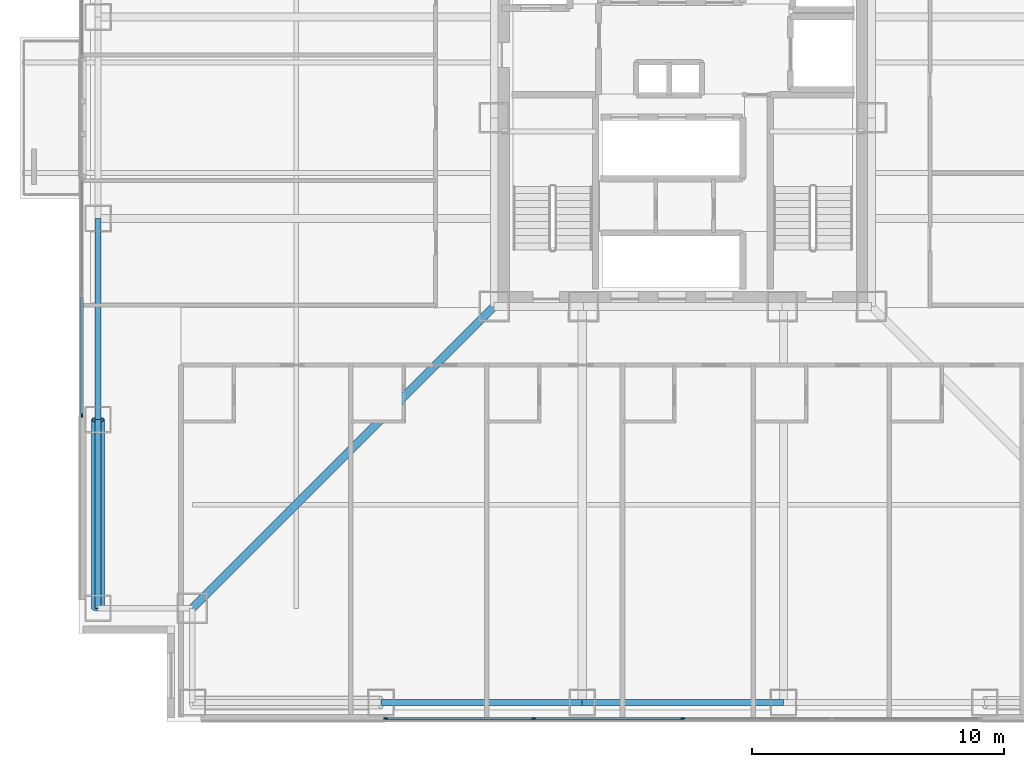
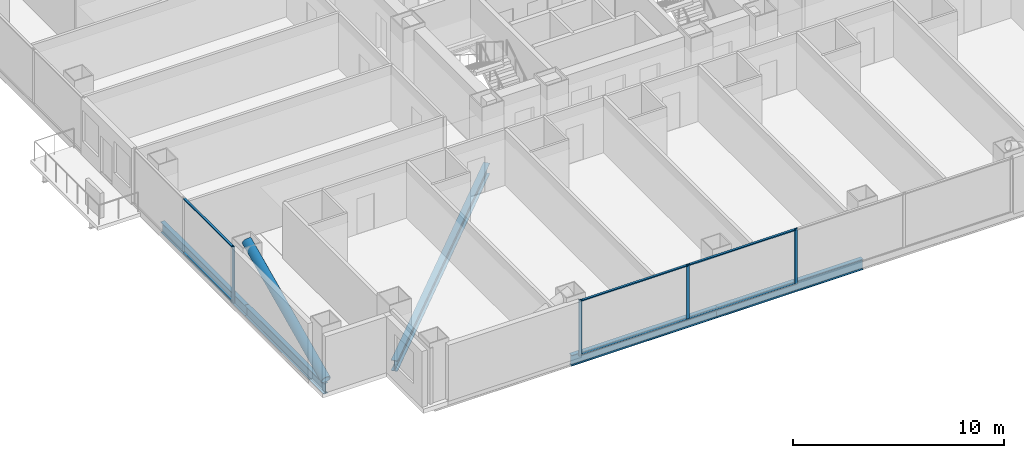
# One storey, part 2 of 20: 11 members, 5 beams, 2 elements without a shape of their own.
"""IFC4 building model written with IfcOpenShell, lengths in metres."""

from ifc_helpers import new_model, si_unit, direction, frame, origin, origin_2d, place, context, subcontext, project, spatial, rectangle, hollow_circle, i_section, extrude, material, layer, layer_set, material_profile, profile_set, type_object, element, aggregate, save


model = new_model("IFC4")

# Units and contexts
model_context = context("Model", 3, precision=1e-05, world=origin(), true_north=direction((0.0, 1.0)))
body_context = subcontext(model_context, "Body", "Model", "MODEL_VIEW")
ifc_project = project(units=[si_unit("LENGTHUNIT", "METRE"), si_unit("AREAUNIT", "SQUARE_METRE"), si_unit("VOLUMEUNIT", "CUBIC_METRE"), si_unit("PLANEANGLEUNIT", "RADIAN"), si_unit("MASSUNIT", "GRAM", prefix="KILO")], contexts=[model_context])

# Site, building, storey
site_placement = place(None, origin())
site = spatial("IfcSite", under=ifc_project, at=site_placement, CompositionType="ELEMENT")
building_placement = place(site_placement, origin())
building = spatial("IfcBuilding", under=site, at=building_placement, Name="Trevonay Congress Spire", CompositionType="ELEMENT")
storey_placement = place(building_placement, frame((0.0, 0.0, 76.0)))
storey = spatial("IfcBuildingStorey", under=building, at=storey_placement, Name="L19", CompositionType="ELEMENT", Elevation=76.0)

# Beams
ifc_material_1 = material(Name="Steel ASTM A572 Grade 50", Category="steel")
ifc_material_profile_1 = material_profile(ifc_material_1, i_section(OverallWidth=0.324951171875, OverallDepth=0.615966796875, WebThickness=0.013916015625, FlangeThickness=0.021484375, FilletRadius=0.01806640625, at=origin_2d()), Name="W610x174")
ifc_profile_set_1 = profile_set([ifc_material_profile_1], Name="Steel ASTM A572 Grade 50")
beam_type_1 = type_object("IfcBeamType", Name="BM-GIRD-W610X174", PredefinedType="BEAM", material=ifc_profile_set_1)
beam_1_placement = place(storey_placement, frame((-7.5, -7.5, -0.55810546875), z_axis=(-0.707106781187, -0.707106781187, 0.0), x_axis=(0.707106781187, -0.707106781187, 0.0)))
element("IfcBeam", 1, at=beam_1_placement, inside=storey, type_object=beam_type_1, Name="L19 structural beam BM-L19-CDSW", PredefinedType="BEAM", context=body_context, shape_type="SweptSolid", body=[
    extrude(i_section(OverallWidth=0.324951171875, OverallDepth=0.615966796875, WebThickness=0.013916015625, FlangeThickness=0.021484375, FilletRadius=0.01806640625, at=origin_2d()), origin(), (0.0, 0.0, 1.0), 16.970458984375),
])
ifc_material_profile_2 = material_profile(ifc_material_1, i_section(OverallWidth=0.22998046875, OverallDepth=0.616943359375, WebThickness=0.01318359375, FlangeThickness=0.022216796875, FilletRadius=0.01611328125, at=origin_2d()), Name="W610x140")
ifc_profile_set_2 = profile_set([ifc_material_profile_2], Name="Steel ASTM A572 Grade 50")
beam_type_2 = type_object("IfcBeamType", Name="BM-RING-W610X140", PredefinedType="BEAM", material=ifc_profile_set_2)
beam_2_placement = place(storey_placement, frame((-23.25, -19.5, -0.55859375), z_axis=(0.0, 1.0, 0.0), x_axis=(-1.0, 0.0, 0.0)))
element("IfcBeam", 2, at=beam_2_placement, inside=storey, type_object=beam_type_2, Name="L19 structural beam BM-L19-PW1", PredefinedType="BEAM", context=body_context, shape_type="SweptSolid", body=[
    extrude(i_section(OverallWidth=0.22998046875, OverallDepth=0.616943359375, WebThickness=0.01318359375, FlangeThickness=0.022216796875, FilletRadius=0.01611328125, at=origin_2d()), origin(), (0.0, 0.0, 1.0), 7.5),
])
for number, where, z_axis, x_axis, name in (
    (3, (-12.0, -23.25, -0.55859375), (1.0, 0.0, 0.0), (0.0, 1.0, 0.0), "L19 structural beam BM-L19-PS2"),
    (4, (-23.25, -12.0, -0.55859375), (0.0, 1.0, 0.0), (-1.0, 0.0, 0.0), "L19 structural beam BM-L19-PW2"),
    (5, (-4.0, -23.25, -0.55859375), (1.0, 0.0, 0.0), (0.0, 1.0, 0.0), "L19 structural beam BM-L19-PS3"),
):
    element("IfcBeam", number, at=place(storey_placement, frame(where, z_axis=z_axis, x_axis=x_axis)), inside=storey, type_object=beam_type_2, Name=name, PredefinedType="BEAM", context=body_context, shape_type="SweptSolid", body=[
        extrude(i_section(OverallWidth=0.22998046875, OverallDepth=0.616943359375, WebThickness=0.01318359375, FlangeThickness=0.022216796875, FilletRadius=0.01611328125, at=origin_2d()), origin(), (0.0, 0.0, 1.0), 8.0),
    ])

# Curtain wall, members
ifc_material_2 = material(Name="Pale Anodised Aluminium EN AW-6063-T6", Category="aluminium")
ifc_layer = layer(ifc_material_2, 0.179931640625, Name="Pale Anodised Aluminium EN AW-6063-T6")
ifc_layer_set = layer_set([ifc_layer], Name="Pale Anodised Aluminium EN AW-6063-T6")
curtain_wall_type = type_object("IfcCurtainWallType", Name="CW-SYS02-HOTEL-PALE-METAL", PredefinedType="NOTDEFINED", material=ifc_layer_set)
curtain_wall_1_placement = place(storey_placement, origin())
curtain_wall_1 = element("IfcCurtainWall", 6, at=curtain_wall_1_placement, inside=storey, type_object=curtain_wall_type, Name="L19 S unitised curtain wall", PredefinedType="NOTDEFINED")
ifc_material_profile_3 = material_profile(ifc_material_2, rectangle(XDim=0.06005859375, YDim=0.159912109375, at=origin_2d()), Name="CW-MULLION-160-ALUMINIUM")
ifc_profile_set_3 = profile_set([ifc_material_profile_3], Name="Pale Anodised Aluminium EN AW-6063-T6")
member_type_1 = type_object("IfcMemberType", Name="CW-MULLION-160-ALUMINIUM", PredefinedType="MULLION", material=ifc_profile_set_3)
member_1_placement = place(storey_placement, frame((-11.820068359375, -23.8798828125, 0.0), z_axis=(0.0, 0.0, 1.0), x_axis=(0.0, 1.0, 0.0)))
member_1 = element("IfcMember", 7, at=member_1_placement, type_object=member_type_1, Name="CW02 mullion 1", PredefinedType="MULLION", context=body_context, shape_type="SweptSolid", body=[
    extrude(rectangle(XDim=0.06005859375, YDim=0.159912109375, at=origin_2d()), origin(), (0.0, 0.0, 1.0), 3.25),
])
member_2_placement = place(storey_placement, frame((-5.925048828125, -23.8798828125, 0.0), z_axis=(0.0, 0.0, 1.0), x_axis=(0.0, 1.0, 0.0)))
member_2 = element("IfcMember", 8, at=member_2_placement, type_object=member_type_1, Name="CW02 mullion 2", PredefinedType="MULLION", context=body_context, shape_type="SweptSolid", body=[
    extrude(rectangle(XDim=0.06005859375, YDim=0.159912109375, at=origin_2d()), origin(), (0.0, 0.0, 1.0), 3.25),
])
member_3_placement = place(storey_placement, frame((0.0, -23.8798828125, 0.0), z_axis=(0.0, 0.0, 1.0), x_axis=(0.0, 1.0, 0.0)))
member_3 = element("IfcMember", 9, at=member_3_placement, type_object=member_type_1, Name="CW02 mullion 3", PredefinedType="MULLION", context=body_context, shape_type="SweptSolid", body=[
    extrude(rectangle(XDim=0.06005859375, YDim=0.159912109375, at=origin_2d()), origin(), (0.0, 0.0, 1.0), 3.25),
])

# Curtain wall, member
curtain_wall_2_placement = place(storey_placement, origin())
curtain_wall_2 = element("IfcCurtainWall", 10, at=curtain_wall_2_placement, inside=storey, type_object=curtain_wall_type, Name="L19 WA unitised curtain wall", PredefinedType="NOTDEFINED")
member_4_placement = place(storey_placement, frame((-23.8798828125, -11.820068359375, 0.0), z_axis=(0.0, 0.0, 1.0), x_axis=(-1.0, 0.0, 0.0)))
member_4 = element("IfcMember", 11, at=member_4_placement, type_object=member_type_1, Name="CW02 mullion 1", PredefinedType="MULLION", context=body_context, shape_type="SweptSolid", body=[
    extrude(rectangle(XDim=0.06005859375, YDim=0.159912109375, at=origin_2d()), origin(), (0.0, 0.0, 1.0), 3.25),
])

# Member
ifc_material_profile_4 = material_profile(ifc_material_2, rectangle(XDim=0.1201171875, YDim=0.06005859375, at=origin_2d()), Name="CW-TRANSOM-120-ALUMINIUM")
ifc_profile_set_4 = profile_set([ifc_material_profile_4], Name="Pale Anodised Aluminium EN AW-6063-T6")
member_type_2 = type_object("IfcMemberType", Name="CW-TRANSOM-120-ALUMINIUM", PredefinedType="USERDEFINED", material=ifc_profile_set_4)
member_5_placement = place(storey_placement, frame((-11.7900390625, -23.8798828125, 0.06005859375), z_axis=(1.0, 0.0, 0.0), x_axis=(0.0, 1.0, 0.0)))
member_5 = element("IfcMember", 12, at=member_5_placement, type_object=member_type_2, Name="CW02 transom 1.1", ObjectType="TRANSOM", PredefinedType="USERDEFINED", context=body_context, shape_type="SweptSolid", body=[
    extrude(rectangle(XDim=0.1201171875, YDim=0.06005859375, at=origin_2d()), origin(), (0.0, 0.0, 1.0), 5.8349609375),
])

member_6_placement = place(storey_placement, frame((-11.7900390625, -23.8798828125, 3.18994140625), z_axis=(1.0, 0.0, 0.0), x_axis=(0.0, 1.0, 0.0)))
member_6 = element("IfcMember", 13, at=member_6_placement, type_object=member_type_2, Name="CW02 transom 1.2", ObjectType="TRANSOM", PredefinedType="USERDEFINED", context=body_context, shape_type="SweptSolid", body=[
    extrude(rectangle(XDim=0.1201171875, YDim=0.06005859375, at=origin_2d()), origin(), (0.0, 0.0, 1.0), 5.8349609375),
])

member_7_placement = place(storey_placement, frame((-5.89501953125, -23.8798828125, 0.06005859375), z_axis=(1.0, 0.0, 0.0), x_axis=(0.0, 1.0, 0.0)))
member_7 = element("IfcMember", 14, at=member_7_placement, type_object=member_type_2, Name="CW02 transom 2.1", ObjectType="TRANSOM", PredefinedType="USERDEFINED", context=body_context, shape_type="SweptSolid", body=[
    extrude(rectangle(XDim=0.1201171875, YDim=0.06005859375, at=origin_2d()), origin(), (0.0, 0.0, 1.0), 5.864990234375),
])

member_8_placement = place(storey_placement, frame((-5.89501953125, -23.8798828125, 3.18994140625), z_axis=(1.0, 0.0, 0.0), x_axis=(0.0, 1.0, 0.0)))
member_8 = element("IfcMember", 15, at=member_8_placement, type_object=member_type_2, Name="CW02 transom 2.2", ObjectType="TRANSOM", PredefinedType="USERDEFINED", context=body_context, shape_type="SweptSolid", body=[
    extrude(rectangle(XDim=0.1201171875, YDim=0.06005859375, at=origin_2d()), origin(), (0.0, 0.0, 1.0), 5.864990234375),
])

aggregate(curtain_wall_1, [member_1, member_2, member_3, member_5, member_6, member_7, member_8])

member_9_placement = place(storey_placement, frame((-23.8798828125, -11.7900390625, 0.06005859375), z_axis=(0.0, 1.0, 0.0), x_axis=(-1.0, 0.0, 0.0)))
member_9 = element("IfcMember", 16, at=member_9_placement, type_object=member_type_2, Name="CW02 transom 1.1", ObjectType="TRANSOM", PredefinedType="USERDEFINED", context=body_context, shape_type="SweptSolid", body=[
    extrude(rectangle(XDim=0.1201171875, YDim=0.06005859375, at=origin_2d()), origin(), (0.0, 0.0, 1.0), 4.635009765625),
])

member_10_placement = place(storey_placement, frame((-23.8798828125, -11.7900390625, 3.18994140625), z_axis=(0.0, 1.0, 0.0), x_axis=(-1.0, 0.0, 0.0)))
member_10 = element("IfcMember", 17, at=member_10_placement, type_object=member_type_2, Name="CW02 transom 1.2", ObjectType="TRANSOM", PredefinedType="USERDEFINED", context=body_context, shape_type="SweptSolid", body=[
    extrude(rectangle(XDim=0.1201171875, YDim=0.06005859375, at=origin_2d()), origin(), (0.0, 0.0, 1.0), 4.635009765625),
])

aggregate(curtain_wall_2, [member_4, member_9, member_10])

ifc_material_profile_5 = material_profile(ifc_material_1, hollow_circle(Radius=0.25390625, WallThickness=0.02490234375, at=origin_2d()), Name="CHS 508x25")
ifc_profile_set_5 = profile_set([ifc_material_profile_5], Name="Steel ASTM A572 Grade 50")
member_type_3 = type_object("IfcMemberType", Name="MBR-TUBE-CHS508", PredefinedType="BRACE", material=ifc_profile_set_5)
member_11_placement = place(storey_placement, frame((-23.25, -19.5, -0.050048828125), z_axis=(0.0, 0.906183139995, 0.422885465331), x_axis=(-1.0, 0.0, 0.0)))
element("IfcMember", 18, at=member_11_placement, inside=storey, type_object=member_type_3, Name="L19 perimeter braced-tube diagonal W0", PredefinedType="BRACE", context=body_context, shape_type="SweptSolid", body=[
    extrude(hollow_circle(Radius=0.25390625, WallThickness=0.02490234375, at=origin_2d()), origin(), (0.0, 0.0, 1.0), 8.2763671875),
])

save(model, "model.ifc")
